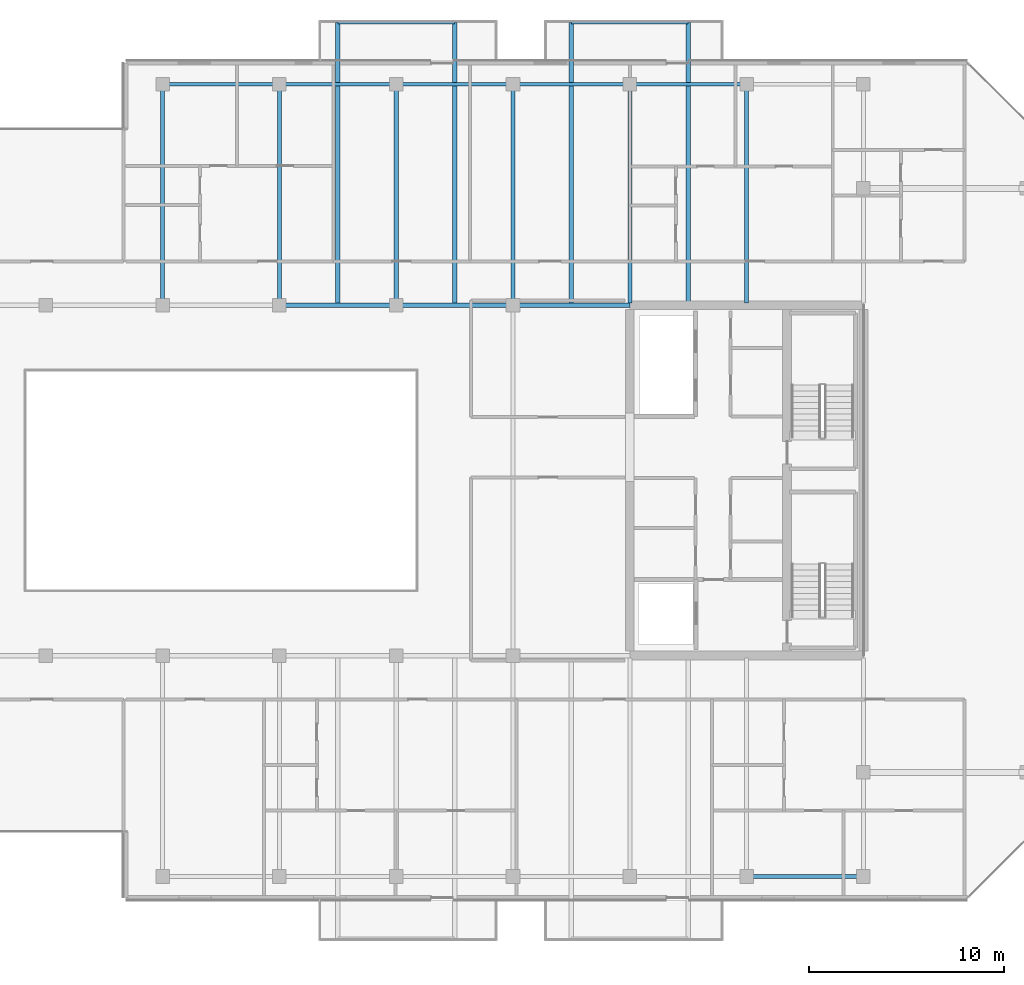
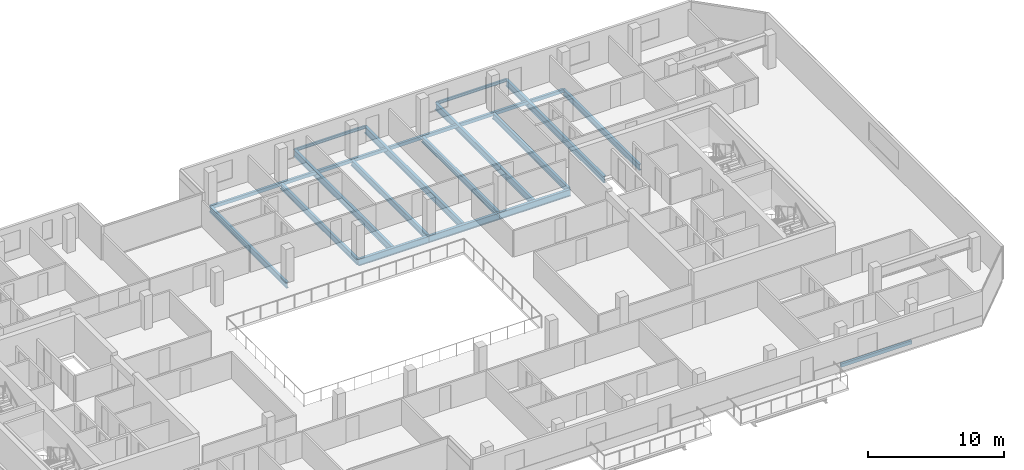
# One storey, part 9 of 24: 21 beams.
"""IFC4 building model written with IfcOpenShell, lengths in metres."""

from ifc_helpers import new_model, si_unit, direction, frame, origin, origin_2d, place, context, subcontext, project, spatial, hollow_rectangle, i_section, extrude, material, material_profile, profile_set, type_object, element, save


model = new_model("IFC4")

# Units and contexts
model_context = context("Model", 3, precision=1e-05, world=origin(), true_north=direction((0.0, 1.0)))
body_context = subcontext(model_context, "Body", "Model", "MODEL_VIEW")
ifc_project = project(units=[si_unit("LENGTHUNIT", "METRE"), si_unit("AREAUNIT", "SQUARE_METRE"), si_unit("VOLUMEUNIT", "CUBIC_METRE"), si_unit("PLANEANGLEUNIT", "RADIAN"), si_unit("MASSUNIT", "GRAM", prefix="KILO")], contexts=[model_context])

# Site, building, storey
site_placement = place(None, origin())
site = spatial("IfcSite", under=ifc_project, at=site_placement, CompositionType="ELEMENT")
building_placement = place(site_placement, origin())
building = spatial("IfcBuilding", under=site, at=building_placement, Name="Tanjung Sevakor Pilgrim Tower", CompositionType="ELEMENT")
storey_placement = place(building_placement, frame((0.0, 0.0, 226.050048828125)))
storey = spatial("IfcBuildingStorey", under=building, at=storey_placement, Name="L63", CompositionType="ELEMENT", Elevation=226.050048828125)

# Beams
ifc_material_1 = material(Name="Steel S355J2", Category="steel")
ifc_material_profile_1 = material_profile(ifc_material_1, i_section(OverallWidth=0.22900390625, OverallDepth=0.6123046875, WebThickness=0.011962890625, FlangeThickness=0.01953125, FilletRadius=0.0126953125, at=origin_2d()))
ifc_profile_set_1 = profile_set([ifc_material_profile_1], Name="Steel S355J2")
beam_type_1 = type_object("IfcBeamType", Name="BM-B-G4-UB_610x229x125", PredefinedType="BEAM", material=ifc_profile_set_1)
for number, where, z_axis, x_axis, name in (
    (1, (60.0, 42.60009765625, -0.526123046875), (1.0, 0.0, 0.0), (0.0, 1.0, 0.0), "L63 Primary Floor Girder MAIN Y426-06"),
    (2, (66.0, 42.60009765625, -0.526123046875), (1.0, 0.0, 0.0), (0.0, 1.0, 0.0), "L63 Primary Floor Girder MAIN Y426-07"),
    (3, (72.0, 42.60009765625, -0.526123046875), (1.0, 0.0, 0.0), (0.0, 1.0, 0.0), "L63 Primary Floor Girder MAIN Y426-08"),
):
    element("IfcBeam", number, at=place(storey_placement, frame(where, z_axis=z_axis, x_axis=x_axis)), inside=storey, type_object=beam_type_1, Name=name, PredefinedType="BEAM", context=body_context, shape_type="SweptSolid", body=[
        extrude(i_section(OverallWidth=0.22900390625, OverallDepth=0.6123046875, WebThickness=0.011962890625, FlangeThickness=0.01953125, FilletRadius=0.0126953125, at=origin_2d()), origin(), (0.0, 0.0, 1.0), 6.0),
    ])
for number, where, z_axis, x_axis, name in (
    (4, (63.0, 42.714599609375, -0.526123046875), (0.0, 1.0, 0.0), (-1.0, 0.0, 0.0), "L63 Balcony Cantilever Beam MAIN-N2-1"),
    (5, (69.0, 42.714599609375, -0.526123046875), (0.0, 1.0, 0.0), (-1.0, 0.0, 0.0), "L63 Balcony Cantilever Beam MAIN-N2-2"),
    (6, (75.0, 42.714599609375, -0.526123046875), (0.0, 1.0, 0.0), (-1.0, 0.0, 0.0), "L63 Balcony Cantilever Beam MAIN-N3-1"),
    (7, (81.0, 42.714599609375, -0.526123046875), (0.0, 1.0, 0.0), (-1.0, 0.0, 0.0), "L63 Balcony Cantilever Beam MAIN-N3-2"),
):
    element("IfcBeam", number, at=place(storey_placement, frame(where, z_axis=z_axis, x_axis=x_axis)), inside=storey, type_object=beam_type_1, Name=name, PredefinedType="BEAM", context=body_context, shape_type="SweptSolid", body=[
        extrude(i_section(OverallWidth=0.22900390625, OverallDepth=0.6123046875, WebThickness=0.011962890625, FlangeThickness=0.01953125, FilletRadius=0.0126953125, at=origin_2d()), origin(), (0.0, 0.0, 1.0), 14.415283203125),
    ])
ifc_material_2 = material(Name="Steel S355J2", Category="steel")
ifc_material_profile_2 = material_profile(ifc_material_2, i_section(OverallWidth=0.2119140625, OverallDepth=0.54443359375, WebThickness=0.0126953125, FlangeThickness=0.021240234375, FilletRadius=0.0126953125, at=origin_2d()))
ifc_profile_set_2 = profile_set([ifc_material_profile_2], Name="Steel S355J2")
beam_type_2 = type_object("IfcBeamType", Name="BM-B-G5-UB_533x210x122", PredefinedType="BEAM", material=ifc_profile_set_2)
for number, where, z_axis, x_axis, name in (
    (8, (54.0, 42.60009765625, -0.492431640625), (0.0, 1.0, 0.0), (-1.0, 0.0, 0.0), "L63 MAIN Girder 007"),
    (9, (60.0, 42.60009765625, -0.492431640625), (0.0, 1.0, 0.0), (-1.0, 0.0, 0.0), "L63 MAIN Girder 009"),
    (10, (66.0, 42.60009765625, -0.492431640625), (0.0, 1.0, 0.0), (-1.0, 0.0, 0.0), "L63 MAIN Girder 011"),
    (11, (72.0, 42.60009765625, -0.492431640625), (0.0, 1.0, 0.0), (-1.0, 0.0, 0.0), "L63 MAIN Girder 014"),
):
    element("IfcBeam", number, at=place(storey_placement, frame(where, z_axis=z_axis, x_axis=x_axis)), inside=storey, type_object=beam_type_2, Name=name, PredefinedType="BEAM", context=body_context, shape_type="SweptSolid", body=[
        extrude(i_section(OverallWidth=0.2119140625, OverallDepth=0.54443359375, WebThickness=0.0126953125, FlangeThickness=0.021240234375, FilletRadius=0.0126953125, at=origin_2d()), origin(), (0.0, 0.0, 1.0), 11.349853515625),
    ])
for number, where, z_axis, x_axis, name in (
    (12, (78.0, 42.714599609375, -0.492431640625), (0.0, 1.0, 0.0), (-1.0, 0.0, 0.0), "L63 MAIN Girder 016"),
    (13, (84.0, 42.714599609375, -0.492431640625), (0.0, 1.0, 0.0), (-1.0, 0.0, 0.0), "L63 MAIN Girder 018"),
):
    element("IfcBeam", number, at=place(storey_placement, frame(where, z_axis=z_axis, x_axis=x_axis)), inside=storey, type_object=beam_type_2, Name=name, PredefinedType="BEAM", context=body_context, shape_type="SweptSolid", body=[
        extrude(i_section(OverallWidth=0.2119140625, OverallDepth=0.54443359375, WebThickness=0.0126953125, FlangeThickness=0.021240234375, FilletRadius=0.0126953125, at=origin_2d()), origin(), (0.0, 0.0, 1.0), 11.2353515625),
    ])
ifc_material_3 = material(Name="Steel S355J2", Category="steel")
ifc_material_profile_3 = material_profile(ifc_material_3, i_section(OverallWidth=0.146484375, OverallDepth=0.256103515625, WebThickness=0.00634765625, FlangeThickness=0.010986328125, FilletRadius=0.007568359375, at=origin_2d()))
ifc_profile_set_3 = profile_set([ifc_material_profile_3], Name="Steel S355J2")
beam_type_3 = type_object("IfcBeamType", Name="BM-B-J6-UB_254x146x37", PredefinedType="JOIST", material=ifc_profile_set_3)
for number, where, z_axis, x_axis, name in (
    (14, (63.0, 57.1298828125, -0.328125), (1.0, 0.0, 0.0), (0.0, 1.0, 0.0), "L63 Balcony Rim Tie MAIN-N2"),
    (15, (75.0, 57.1298828125, -0.328125), (1.0, 0.0, 0.0), (0.0, 1.0, 0.0), "L63 Balcony Rim Tie MAIN-N3"),
):
    element("IfcBeam", number, at=place(storey_placement, frame(where, z_axis=z_axis, x_axis=x_axis)), inside=storey, type_object=beam_type_3, Name=name, PredefinedType="JOIST", context=body_context, shape_type="SweptSolid", body=[
        extrude(i_section(OverallWidth=0.146484375, OverallDepth=0.256103515625, WebThickness=0.00634765625, FlangeThickness=0.010986328125, FilletRadius=0.007568359375, at=origin_2d()), origin(), (0.0, 0.0, 1.0), 6.0),
    ])
ifc_material_4 = material(Name="Steel S355J2", Category="steel")
ifc_material_profile_4 = material_profile(ifc_material_4, hollow_rectangle(XDim=0.199951171875, YDim=0.300048828125, WallThickness=0.012451171875, at=origin_2d()))
ifc_profile_set_4 = profile_set([ifc_material_profile_4], Name="Steel S355J2")
beam_type_4 = type_object("IfcBeamType", Name="BM-B-SP3-RHS_300x200x12.5", PredefinedType="SPANDREL", material=ifc_profile_set_4)
for number, where, z_axis, x_axis, name in (
    (16, (54.0, 53.949951171875, -0.3701171875), (1.0, 0.0, 0.0), (0.0, 1.0, 0.0), "L63 Spandrel MAIN N-06"),
    (17, (60.0, 53.949951171875, -0.3701171875), (1.0, 0.0, 0.0), (0.0, 1.0, 0.0), "L63 Spandrel MAIN N-08"),
    (18, (66.0, 53.949951171875, -0.3701171875), (1.0, 0.0, 0.0), (0.0, 1.0, 0.0), "L63 Spandrel MAIN N-10"),
    (19, (72.0, 53.949951171875, -0.3701171875), (1.0, 0.0, 0.0), (0.0, 1.0, 0.0), "L63 Spandrel MAIN N-12"),
    (20, (78.0, 53.949951171875, -0.3701171875), (1.0, 0.0, 0.0), (0.0, 1.0, 0.0), "L63 Spandrel MAIN N-14"),
    (21, (84.0, 13.25, -0.3701171875), (1.0, 0.0, 0.0), (0.0, 1.0, 0.0), "L63 Spandrel MAIN S-15"),
):
    element("IfcBeam", number, at=place(storey_placement, frame(where, z_axis=z_axis, x_axis=x_axis)), inside=storey, type_object=beam_type_4, Name=name, PredefinedType="SPANDREL", context=body_context, shape_type="SweptSolid", body=[
        extrude(hollow_rectangle(XDim=0.199951171875, YDim=0.300048828125, WallThickness=0.012451171875, at=origin_2d()), origin(), (0.0, 0.0, 1.0), 6.0),
    ])

save(model, "model.ifc")
